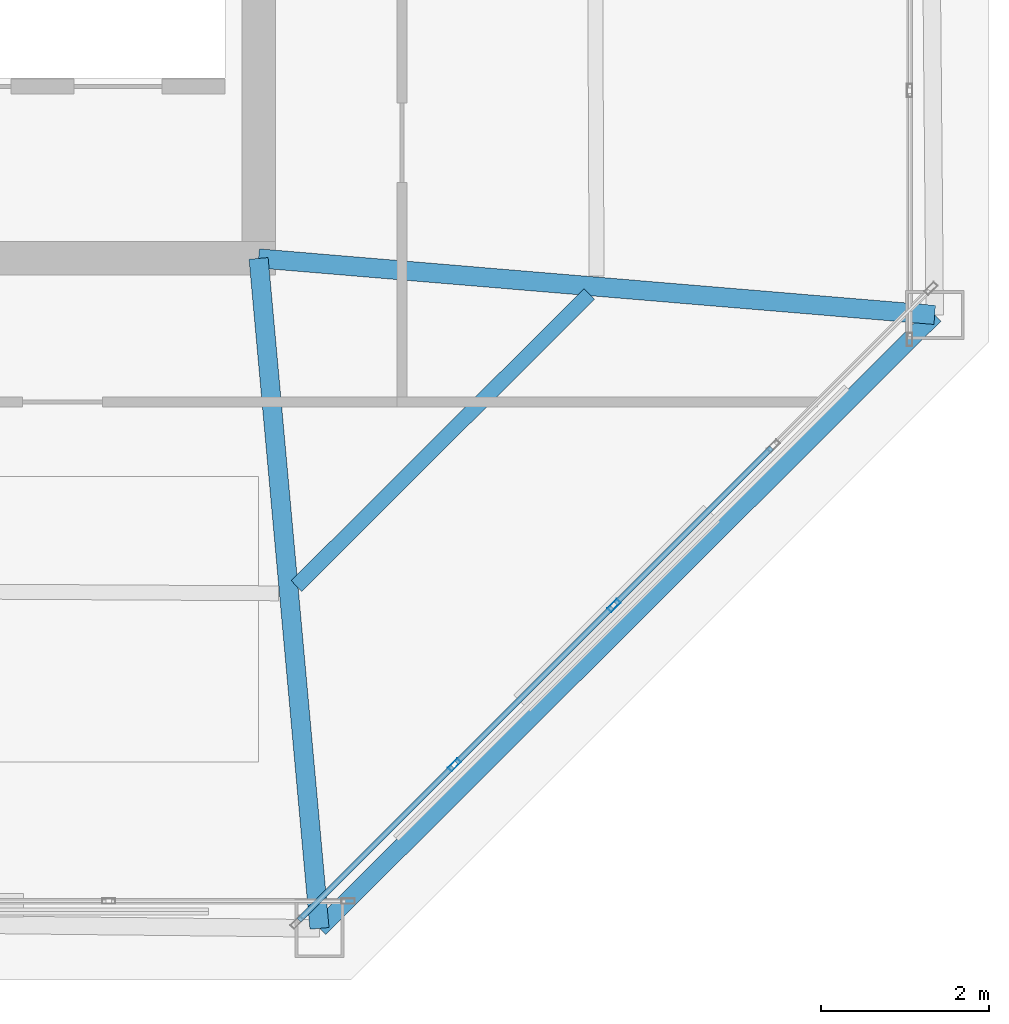
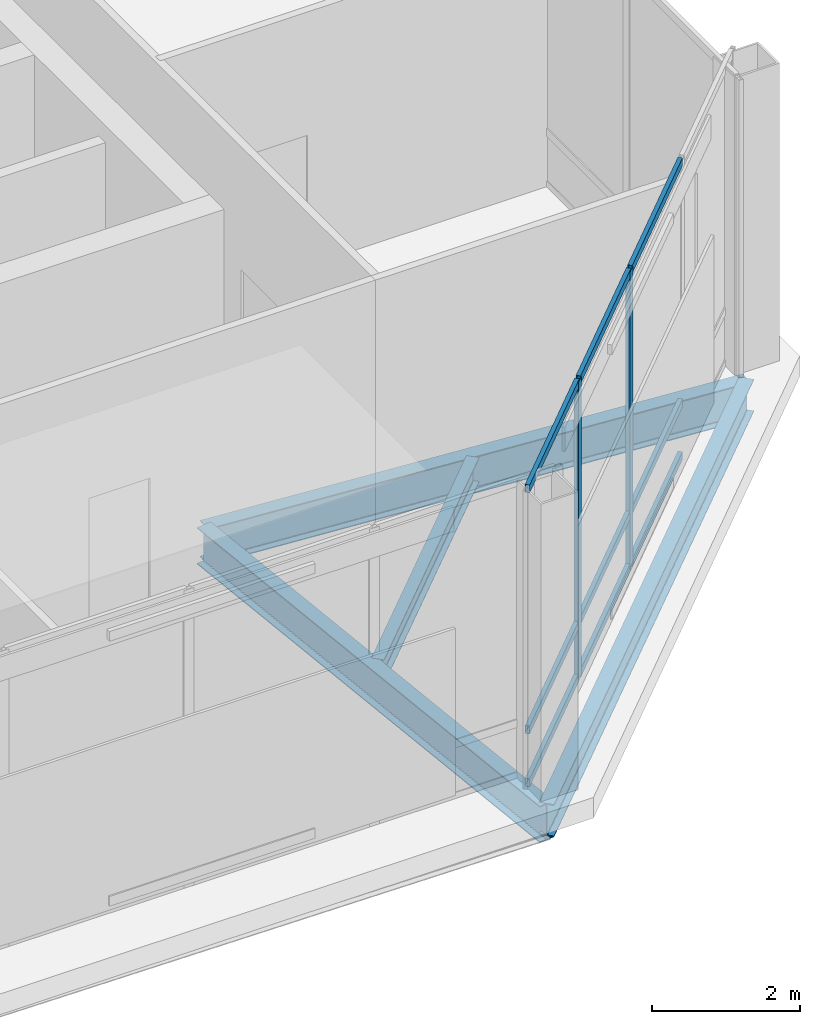
# One storey, part 6 of 21: 11 members, 4 beams, 1 element without a shape of its own.
"""IFC4 building model written with IfcOpenShell, lengths in metres."""

from ifc_helpers import new_model, si_unit, direction, frame, origin, origin_2d, place, context, subcontext, project, spatial, hollow_rectangle, i_section, extrude, material, layer, layer_set, material_profile, profile_set, type_object, element, aggregate, save


model = new_model("IFC4")

# Units and contexts
model_context = context("Model", 3, precision=1e-05, world=origin(), true_north=direction((0.0, 1.0)))
body_context = subcontext(model_context, "Body", "Model", "MODEL_VIEW")
ifc_project = project(units=[si_unit("LENGTHUNIT", "METRE"), si_unit("AREAUNIT", "SQUARE_METRE"), si_unit("VOLUMEUNIT", "CUBIC_METRE"), si_unit("PLANEANGLEUNIT", "RADIAN"), si_unit("MASSUNIT", "GRAM", prefix="KILO")], contexts=[model_context])

# Site, building, storey
site_placement = place(None, origin())
site = spatial("IfcSite", under=ifc_project, at=site_placement, CompositionType="ELEMENT")
building_placement = place(site_placement, origin())
building = spatial("IfcBuilding", under=site, at=building_placement, Name="Caelvoria Tower", CompositionType="ELEMENT")
storey_placement = place(building_placement, frame((0.0, 0.0, 279.0)))
storey = spatial("IfcBuildingStorey", under=building, at=storey_placement, Name="L74", CompositionType="ELEMENT", Elevation=279.0)

# Curtain wall, members
ifc_material_1 = material(Name="Anodised Bronze Aluminium and Low-E Glass", Category="aluminium")
ifc_layer = layer(ifc_material_1, 0.205078125, Name="Anodised Bronze Aluminium and Low-E Glass")
ifc_layer_set = layer_set([ifc_layer], Name="CW System 5 Observation Panorama Low-Iron Facade - Anodised Bronze Aluminium and Low-E Glass")
curtain_wall_type = type_object("IfcCurtainWallType", Name="CW System 5 Observation Panorama Low-Iron Facade", PredefinedType="NOTDEFINED", material=ifc_layer_set)
curtain_wall_placement = place(storey_placement, origin())
curtain_wall = element("IfcCurtainWall", 1, at=curtain_wall_placement, inside=storey, type_object=curtain_wall_type, Name="CW-05 Curtain Wall L74-E1", PredefinedType="NOTDEFINED")
ifc_material_2 = material(Name="Anodised Bronze Architectural Aluminium", Category="aluminium")
ifc_material_profile_1 = material_profile(ifc_material_2, hollow_rectangle(XDim=0.06494140625, YDim=0.159912109375, WallThickness=0.00390625, at=origin_2d()), Name="Anodised Bronze Architectural Aluminium")
ifc_profile_set_1 = profile_set([ifc_material_profile_1], Name="CW_MULL_65X160 - Anodised Bronze Architectural Aluminium")
member_type_1 = type_object("IfcMemberType", Name="Curtain Wall Mullion 65x160 Bronze Aluminium", PredefinedType="MULLION", material=ifc_profile_set_1)
member_1_placement = place(storey_placement, frame((57.335205078125, 17.964599609375, 0.0), z_axis=(0.0, 0.0, 1.0), x_axis=(-0.707106781187, 0.707106781187, 0.0)))
member_1 = element("IfcMember", 2, at=member_1_placement, type_object=member_type_1, Name="CW-05 mullion 2", PredefinedType="MULLION", context=body_context, shape_type="SweptSolid", body=[
    extrude(hollow_rectangle(XDim=0.06494140625, YDim=0.159912109375, WallThickness=0.00390625, at=origin_2d()), origin(), (0.0, 0.0, 1.0), 4.89990234375),
])
member_2_placement = place(storey_placement, frame((59.2353515625, 19.86474609375, 0.0), z_axis=(0.0, 0.0, 1.0), x_axis=(-0.707106781187, 0.707106781187, 0.0)))
member_2 = element("IfcMember", 3, at=member_2_placement, type_object=member_type_1, Name="CW-05 mullion 3", PredefinedType="MULLION", context=body_context, shape_type="SweptSolid", body=[
    extrude(hollow_rectangle(XDim=0.06494140625, YDim=0.159912109375, WallThickness=0.00390625, at=origin_2d()), origin(), (0.0, 0.0, 1.0), 4.89990234375),
])
ifc_material_profile_2 = material_profile(ifc_material_2, hollow_rectangle(XDim=0.06494140625, YDim=0.1298828125, WallThickness=0.00341796875, at=origin_2d()), Name="Anodised Bronze Architectural Aluminium")
ifc_profile_set_2 = profile_set([ifc_material_profile_2], Name="CW_TRAN_65X130 - Anodised Bronze Architectural Aluminium")
member_type_2 = type_object("IfcMemberType", Name="Curtain Wall Transom 65x130 Bronze Aluminium", PredefinedType="USERDEFINED", material=ifc_profile_set_2)
member_3_placement = place(storey_placement, frame((55.481201171875, 16.110595703125, 0.032470703125), z_axis=(0.707106781187, 0.707106781187, 0.0), x_axis=(-0.707106781187, 0.707106781187, 0.0)))
member_3 = element("IfcMember", 4, at=member_3_placement, type_object=member_type_2, Name="CW-05 transom 1.1", ObjectType="TRANSOM", PredefinedType="USERDEFINED", context=body_context, shape_type="SweptSolid", body=[
    extrude(hollow_rectangle(XDim=0.06494140625, YDim=0.1298828125, WallThickness=0.00341796875, at=origin_2d()), origin(), (0.0, 0.0, 1.0), 2.589599609375),
])
member_4_placement = place(storey_placement, frame((55.481201171875, 16.110595703125, 0.89990234375), z_axis=(0.707106781187, 0.707106781187, 0.0), x_axis=(-0.707106781187, 0.707106781187, 0.0)))
member_4 = element("IfcMember", 5, at=member_4_placement, type_object=member_type_2, Name="CW-05 transom 1.2", ObjectType="TRANSOM", PredefinedType="USERDEFINED", context=body_context, shape_type="SweptSolid", body=[
    extrude(hollow_rectangle(XDim=0.06494140625, YDim=0.1298828125, WallThickness=0.00341796875, at=origin_2d()), origin(), (0.0, 0.0, 1.0), 2.589599609375),
])
member_5_placement = place(storey_placement, frame((55.481201171875, 16.110595703125, 4.867431640625), z_axis=(0.707106781187, 0.707106781187, 0.0), x_axis=(-0.707106781187, 0.707106781187, 0.0)))
member_5 = element("IfcMember", 6, at=member_5_placement, type_object=member_type_2, Name="CW-05 transom 1.3", ObjectType="TRANSOM", PredefinedType="USERDEFINED", context=body_context, shape_type="SweptSolid", body=[
    extrude(hollow_rectangle(XDim=0.06494140625, YDim=0.1298828125, WallThickness=0.00341796875, at=origin_2d()), origin(), (0.0, 0.0, 1.0), 2.589599609375),
])
member_6_placement = place(storey_placement, frame((57.3583984375, 17.98779296875, 0.032470703125), z_axis=(0.707106781187, 0.707106781187, 0.0), x_axis=(-0.707106781187, 0.707106781187, 0.0)))
member_6 = element("IfcMember", 7, at=member_6_placement, type_object=member_type_2, Name="CW-05 transom 2.1", ObjectType="TRANSOM", PredefinedType="USERDEFINED", context=body_context, shape_type="SweptSolid", body=[
    extrude(hollow_rectangle(XDim=0.06494140625, YDim=0.1298828125, WallThickness=0.00341796875, at=origin_2d()), origin(), (0.0, 0.0, 1.0), 2.6220703125),
])
member_7_placement = place(storey_placement, frame((57.3583984375, 17.98779296875, 0.89990234375), z_axis=(0.707106781187, 0.707106781187, 0.0), x_axis=(-0.707106781187, 0.707106781187, 0.0)))
member_7 = element("IfcMember", 8, at=member_7_placement, type_object=member_type_2, Name="CW-05 transom 2.2", ObjectType="TRANSOM", PredefinedType="USERDEFINED", context=body_context, shape_type="SweptSolid", body=[
    extrude(hollow_rectangle(XDim=0.06494140625, YDim=0.1298828125, WallThickness=0.00341796875, at=origin_2d()), origin(), (0.0, 0.0, 1.0), 2.6220703125),
])
member_8_placement = place(storey_placement, frame((57.3583984375, 17.98779296875, 4.867431640625), z_axis=(0.707106781187, 0.707106781187, 0.0), x_axis=(-0.707106781187, 0.707106781187, 0.0)))
member_8 = element("IfcMember", 9, at=member_8_placement, type_object=member_type_2, Name="CW-05 transom 2.3", ObjectType="TRANSOM", PredefinedType="USERDEFINED", context=body_context, shape_type="SweptSolid", body=[
    extrude(hollow_rectangle(XDim=0.06494140625, YDim=0.1298828125, WallThickness=0.00341796875, at=origin_2d()), origin(), (0.0, 0.0, 1.0), 2.6220703125),
])
member_9_placement = place(storey_placement, frame((59.25830078125, 19.8876953125, 0.032470703125), z_axis=(0.707106781187, 0.707106781187, 0.0), x_axis=(-0.707106781187, 0.707106781187, 0.0)))
member_9 = element("IfcMember", 10, at=member_9_placement, type_object=member_type_2, Name="CW-05 transom 3.1", ObjectType="TRANSOM", PredefinedType="USERDEFINED", context=body_context, shape_type="SweptSolid", body=[
    extrude(hollow_rectangle(XDim=0.06494140625, YDim=0.1298828125, WallThickness=0.00341796875, at=origin_2d()), origin(), (0.0, 0.0, 1.0), 2.6220703125),
])
member_10_placement = place(storey_placement, frame((59.25830078125, 19.8876953125, 0.89990234375), z_axis=(0.707106781187, 0.707106781187, 0.0), x_axis=(-0.707106781187, 0.707106781187, 0.0)))
member_10 = element("IfcMember", 11, at=member_10_placement, type_object=member_type_2, Name="CW-05 transom 3.2", ObjectType="TRANSOM", PredefinedType="USERDEFINED", context=body_context, shape_type="SweptSolid", body=[
    extrude(hollow_rectangle(XDim=0.06494140625, YDim=0.1298828125, WallThickness=0.00341796875, at=origin_2d()), origin(), (0.0, 0.0, 1.0), 2.6220703125),
])
member_11_placement = place(storey_placement, frame((59.25830078125, 19.8876953125, 4.867431640625), z_axis=(0.707106781187, 0.707106781187, 0.0), x_axis=(-0.707106781187, 0.707106781187, 0.0)))
member_11 = element("IfcMember", 12, at=member_11_placement, type_object=member_type_2, Name="CW-05 transom 3.3", ObjectType="TRANSOM", PredefinedType="USERDEFINED", context=body_context, shape_type="SweptSolid", body=[
    extrude(hollow_rectangle(XDim=0.06494140625, YDim=0.1298828125, WallThickness=0.00341796875, at=origin_2d()), origin(), (0.0, 0.0, 1.0), 2.6220703125),
])
aggregate(curtain_wall, [member_1, member_2, member_3, member_4, member_5, member_6, member_7, member_8, member_9, member_10, member_11])

# Beams
ifc_material_3 = material(Name="Structural Steel ASTM A992 Gr.50", Category="steel")
ifc_material_profile_3 = material_profile(ifc_material_3, i_section(OverallWidth=0.22802734375, OverallDepth=0.60302734375, WebThickness=0.010498046875, FlangeThickness=0.014892578125, FilletRadius=0.01806640625, at=origin_2d()), Name="Structural Steel ASTM A992 Gr.50")
ifc_profile_set_3 = profile_set([ifc_material_profile_3], Name="W610X101 - Structural Steel ASTM A992 Gr.50")
beam_type_1 = type_object("IfcBeamType", Name="Primary Floor Girder W610X101", PredefinedType="BEAM", material=ifc_profile_set_3)
beam_1_placement = place(storey_placement, frame((55.0, 24.0, -0.6416015625), z_axis=(0.090527509595, -0.995893955201, 0.0), x_axis=(0.995893955201, 0.090527509595, 0.0)))
element("IfcBeam", 13, at=beam_1_placement, inside=storey, type_object=beam_type_1, Name="Primary Floor Girder L74-02", PredefinedType="BEAM", context=body_context, shape_type="SweptSolid", body=[
    extrude(i_section(OverallWidth=0.22802734375, OverallDepth=0.60302734375, WebThickness=0.010498046875, FlangeThickness=0.014892578125, FilletRadius=0.01806640625, at=origin_2d()), origin(), (0.0, 0.0, 1.0), 8.017822265625),
])
beam_2_placement = place(storey_placement, frame((55.0, 24.0, -0.6416015625), z_axis=(0.996524486988, -0.083300341138, 0.0), x_axis=(0.083300341138, 0.996524486988, 0.0)))
element("IfcBeam", 14, at=beam_2_placement, inside=storey, type_object=beam_type_1, Name="Primary Floor Girder L74-03", PredefinedType="BEAM", context=body_context, shape_type="SweptSolid", body=[
    extrude(i_section(OverallWidth=0.22802734375, OverallDepth=0.60302734375, WebThickness=0.010498046875, FlangeThickness=0.014892578125, FilletRadius=0.01806640625, at=origin_2d()), origin(), (0.0, 0.0, 1.0), 8.086181640625),
])
ifc_material_profile_4 = material_profile(ifc_material_3, i_section(OverallWidth=0.177978515625, OverallDepth=0.406982421875, WebThickness=0.0078125, FlangeThickness=0.0126953125, FilletRadius=0.013916015625, at=origin_2d()), Name="Structural Steel ASTM A992 Gr.50")
ifc_profile_set_4 = profile_set([ifc_material_profile_4], Name="W410X60 - Structural Steel ASTM A992 Gr.50")
beam_type_2 = type_object("IfcBeamType", Name="Secondary Floor Beam W410X60", PredefinedType="BEAM", material=ifc_profile_set_4)
beam_3_placement = place(storey_placement, frame((55.451416015625, 20.095947265625, -0.54345703125), z_axis=(0.708146533194, 0.706065498042, 0.0), x_axis=(-0.706065498042, 0.708146533194, 0.0)))
element("IfcBeam", 15, at=beam_3_placement, inside=storey, type_object=beam_type_2, Name="Secondary Floor Beam L74-02", PredefinedType="BEAM", context=body_context, shape_type="SweptSolid", body=[
    extrude(i_section(OverallWidth=0.177978515625, OverallDepth=0.406982421875, WebThickness=0.0078125, FlangeThickness=0.0126953125, FilletRadius=0.013916015625, at=origin_2d()), origin(), (0.0, 0.0, 1.0), 4.92724609375),
])
ifc_material_profile_5 = material_profile(ifc_material_3, i_section(OverallWidth=0.208984375, OverallDepth=0.532958984375, WebThickness=0.01025390625, FlangeThickness=0.015625, FilletRadius=0.01611328125, at=origin_2d()), Name="Structural Steel ASTM A992 Gr.50")
ifc_profile_set_5 = profile_set([ifc_material_profile_5], Name="W530X92 - Structural Steel ASTM A992 Gr.50")
beam_type_3 = type_object("IfcBeamType", Name="Upper Zone Spandrel W530X92", PredefinedType="BEAM", material=ifc_profile_set_5)
beam_4_placement = place(storey_placement, frame((55.725830078125, 16.01513671875, -0.6064453125), z_axis=(0.708119910977, 0.706092197717, 0.0), x_axis=(-0.706092197717, 0.708119910977, 0.0)))
element("IfcBeam", 16, at=beam_4_placement, inside=storey, type_object=beam_type_3, Name="Perimeter Spandrel Girder L74-02", PredefinedType="BEAM", context=body_context, shape_type="SweptSolid", body=[
    extrude(i_section(OverallWidth=0.208984375, OverallDepth=0.532958984375, WebThickness=0.01025390625, FlangeThickness=0.015625, FilletRadius=0.01611328125, at=origin_2d()), origin(), (0.0, 0.0, 1.0), 10.3544921875),
])

save(model, "model.ifc")
